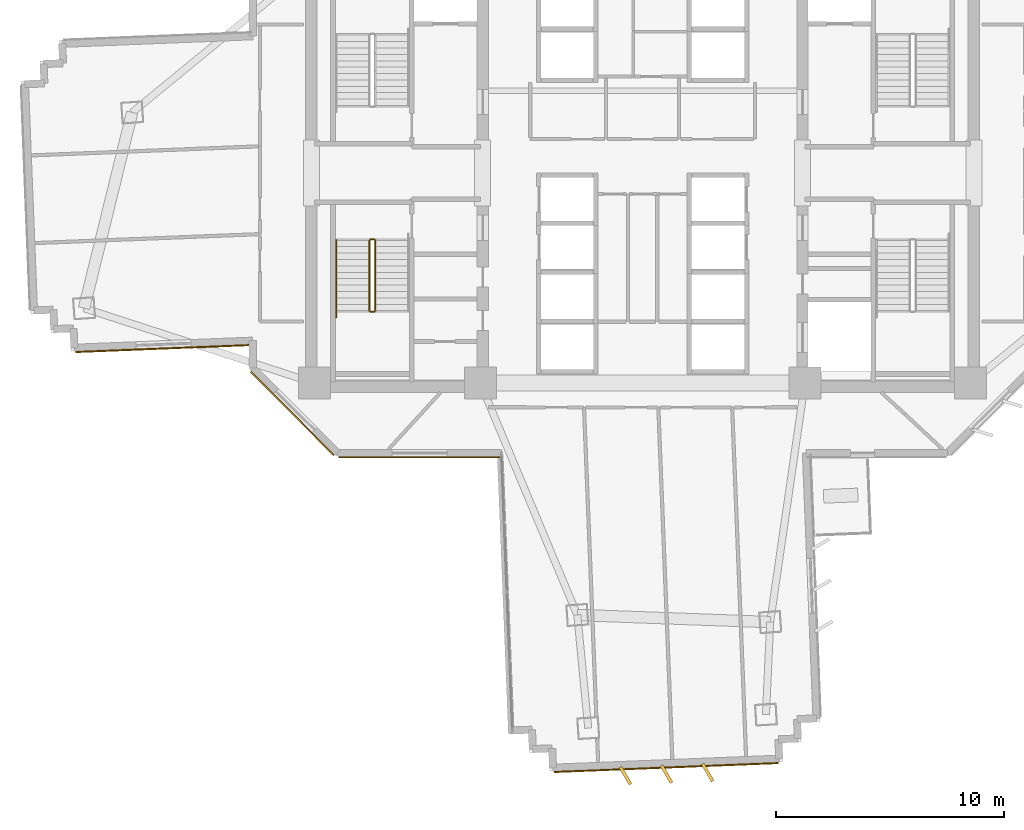
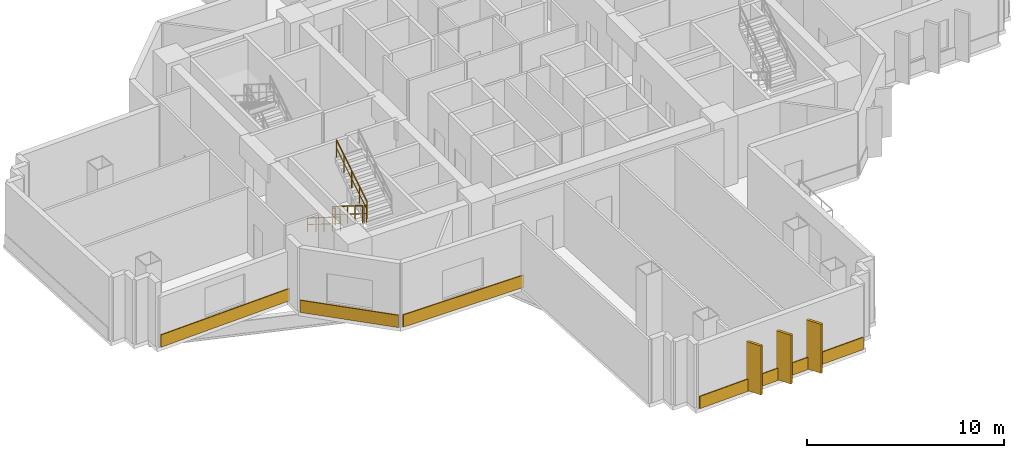
# One storey, part 12 of 16: 7 coverings, 5 railings.
"""IFC4 building model written with IfcOpenShell, lengths in metres."""

from ifc_helpers import new_model, si_unit, direction, frame, origin, origin_2d, place, context, subcontext, project, spatial, rectangle, extrude, source, transform, mapped, material, layer, layer_set, type_object, element, save


model = new_model("IFC4")

# Units and contexts
model_context = context("Model", 3, precision=1e-05, world=origin(), true_north=direction((0.0, 1.0)))
body_context = subcontext(model_context, "Body", "Model", "MODEL_VIEW")
ifc_project = project(units=[si_unit("LENGTHUNIT", "METRE"), si_unit("AREAUNIT", "SQUARE_METRE"), si_unit("VOLUMEUNIT", "CUBIC_METRE"), si_unit("PLANEANGLEUNIT", "RADIAN"), si_unit("MASSUNIT", "GRAM", prefix="KILO")], contexts=[model_context])

# Site, building, storey
site_placement = place(None, origin())
site = spatial("IfcSite", under=ifc_project, at=site_placement, CompositionType="ELEMENT")
building_placement = place(site_placement, origin())
building = spatial("IfcBuilding", under=site, at=building_placement, Name="Zahravan Cultural Tower", CompositionType="ELEMENT")
storey_placement = place(building_placement, frame((0.0, 0.0, 62.699951171875)))
storey = spatial("IfcBuildingStorey", under=building, at=storey_placement, Name="L13", CompositionType="ELEMENT", Elevation=62.699951171875)

# Railings
ifc_material_1 = material(Name="Steel ASTM A572 Grade 50", Category="steel")
railing_type_1 = type_object("IfcRailingType", Name="RL-STAIR-GRD1150", PredefinedType="BALUSTRADE", material=ifc_material_1)
railing_1_placement = place(storey_placement, frame((24.050048828125, 24.050048828125, 0.175048828125)))
element("IfcRailing", 1, at=railing_1_placement, inside=storey, type_object=railing_type_1, Name="L13 ST-W2 stair guard 1", PredefinedType="BALUSTRADE", context=body_context, shape_type="SweptSolid", body=[
    extrude(rectangle(XDim=0.05, YDim=0.05, at=origin_2d()), frame((0.0, 0.0, 1.0751953125), z_axis=(0.0, -0.847998304005, 0.529998940003), x_axis=(1.0, 0.0, 0.0)), (0.0, 0.0, 1.0), 3.632080078125),
    extrude(rectangle(XDim=0.032, YDim=0.032, at=origin_2d()), frame((0.0, 0.0, 0.572021484375), z_axis=(0.0, -0.847998304005, 0.529998940003), x_axis=(1.0, 0.0, 0.0)), (0.0, 0.0, 1.0), 3.632080078125),
    extrude(rectangle(XDim=0.04, YDim=0.04, at=origin_2d()), origin(), (0.0, 0.0, 1.0), 1.10009765625),
    extrude(rectangle(XDim=0.04, YDim=0.04, at=origin_2d()), frame((0.0, -0.77001953125, 0.481201171875)), (0.0, 0.0, 1.0), 1.10009765625),
    extrude(rectangle(XDim=0.04, YDim=0.04, at=origin_2d()), frame((0.0, -1.5400390625, 0.96240234375)), (0.0, 0.0, 1.0), 1.10009765625),
    extrude(rectangle(XDim=0.04, YDim=0.04, at=origin_2d()), frame((0.0, -2.31005859375, 1.44384765625)), (0.0, 0.0, 1.0), 1.10009765625),
    extrude(rectangle(XDim=0.04, YDim=0.04, at=origin_2d()), frame((0.0, -3.080078125, 1.925048828125)), (0.0, 0.0, 1.0), 1.10009765625),
])
railing_2_placement = place(storey_placement, frame((24.10009765625, 20.919921875, 2.10009765625)))
element("IfcRailing", 2, at=railing_2_placement, inside=storey, type_object=railing_type_1, Name="L13 ST-W2 stair guard 2", PredefinedType="BALUSTRADE", context=body_context, shape_type="SweptSolid", body=[
    extrude(rectangle(XDim=0.05, YDim=0.05, at=origin_2d()), frame((0.0, 0.0, 1.0751953125), z_axis=(1.0, 0.0, 0.0), x_axis=(0.0, 1.0, 0.0)), (0.0, 0.0, 1.0), 0.14990234375),
    extrude(rectangle(XDim=0.032, YDim=0.032, at=origin_2d()), frame((0.0, 0.0, 0.572021484375), z_axis=(1.0, 0.0, 0.0), x_axis=(0.0, 1.0, 0.0)), (0.0, 0.0, 1.0), 0.14990234375),
    extrude(rectangle(XDim=0.04, YDim=0.04, at=origin_2d()), origin(), (0.0, 0.0, 1.0), 1.10009765625),
    extrude(rectangle(XDim=0.04, YDim=0.04, at=origin_2d()), frame((0.14990234375, 0.0, 0.0)), (0.0, 0.0, 1.0), 1.10009765625),
])
railing_3_placement = place(storey_placement, frame((24.300048828125, 20.969970703125, 2.275146484375)))
element("IfcRailing", 3, at=railing_3_placement, inside=storey, type_object=railing_type_1, Name="L13 ST-W2 stair guard 3", PredefinedType="BALUSTRADE", context=body_context, shape_type="SweptSolid", body=[
    extrude(rectangle(XDim=0.05, YDim=0.05, at=origin_2d()), frame((0.0, 0.0, 1.0751953125), z_axis=(0.0, 0.848028513186, 0.529950602248), x_axis=(-1.0, 0.0, 0.0)), (0.0, 0.0, 1.0), 3.632080078125),
    extrude(rectangle(XDim=0.032, YDim=0.032, at=origin_2d()), frame((0.0, 0.0, 0.572021484375), z_axis=(0.0, 0.848028513186, 0.529950602248), x_axis=(-1.0, 0.0, 0.0)), (0.0, 0.0, 1.0), 3.632080078125),
    extrude(rectangle(XDim=0.04, YDim=0.04, at=origin_2d()), origin(), (0.0, 0.0, 1.0), 1.10009765625),
    extrude(rectangle(XDim=0.04, YDim=0.04, at=origin_2d()), frame((0.0, 0.77001953125, 0.481201171875)), (0.0, 0.0, 1.0), 1.10009765625),
    extrude(rectangle(XDim=0.04, YDim=0.04, at=origin_2d()), frame((0.0, 1.5400390625, 0.96240234375)), (0.0, 0.0, 1.0), 1.10009765625),
    extrude(rectangle(XDim=0.04, YDim=0.04, at=origin_2d()), frame((0.0, 2.31005859375, 1.443603515625)), (0.0, 0.0, 1.0), 1.10009765625),
    extrude(rectangle(XDim=0.04, YDim=0.04, at=origin_2d()), frame((0.0, 3.080078125, 1.9248046875)), (0.0, 0.0, 1.0), 1.10009765625),
])
railing_4_placement = place(storey_placement, frame((24.10009765625, 24.10009765625, 0.0)))
element("IfcRailing", 4, at=railing_4_placement, inside=storey, type_object=railing_type_1, Name="L13 ST-W2 stair guard 4", PredefinedType="BALUSTRADE", context=body_context, shape_type="SweptSolid", body=[
    extrude(rectangle(XDim=0.05, YDim=0.05, at=origin_2d()), frame((0.0, 0.0, 1.0751953125), z_axis=(1.0, 0.0, 0.0), x_axis=(0.0, 1.0, 0.0)), (0.0, 0.0, 1.0), 0.14990234375),
    extrude(rectangle(XDim=0.032, YDim=0.032, at=origin_2d()), frame((0.0, 0.0, 0.572021484375), z_axis=(1.0, 0.0, 0.0), x_axis=(0.0, 1.0, 0.0)), (0.0, 0.0, 1.0), 0.14990234375),
    extrude(rectangle(XDim=0.04, YDim=0.04, at=origin_2d()), origin(), (0.0, 0.0, 1.0), 1.10009765625),
    extrude(rectangle(XDim=0.04, YDim=0.04, at=origin_2d()), frame((0.14990234375, 0.0, 0.0)), (0.0, 0.0, 1.0), 1.10009765625),
])
railing_type_2 = type_object("IfcRailingType", Name="RL-STAIR-HR900", PredefinedType="HANDRAIL", material=ifc_material_1)
railing_5_placement = place(storey_placement, frame((22.60009765625, 24.050048828125, 0.175048828125)))
element("IfcRailing", 5, at=railing_5_placement, inside=storey, type_object=railing_type_2, Name="L13 ST-W2 stair handrail 1", PredefinedType="HANDRAIL", context=body_context, shape_type="SweptSolid", body=[
    extrude(rectangle(XDim=0.05, YDim=0.05, at=origin_2d()), frame((0.0, 0.0, 0.875), z_axis=(0.0, -0.847994842521, 0.530004478338), x_axis=(1.0, 0.0, 0.0)), (0.0, 0.0, 1.0), 3.96240234375),
    extrude(rectangle(XDim=0.032, YDim=0.032, at=origin_2d()), frame((0.0, 0.0, 0.468017578125), z_axis=(0.0, -0.847994842521, 0.530004478338), x_axis=(1.0, 0.0, 0.0)), (0.0, 0.0, 1.0), 3.96240234375),
    extrude(rectangle(XDim=0.04, YDim=0.04, at=origin_2d()), origin(), (0.0, 0.0, 1.0), 0.89990234375),
    extrude(rectangle(XDim=0.04, YDim=0.04, at=origin_2d()), frame((0.0, -0.840087890625, 0.52490234375)), (0.0, 0.0, 1.0), 0.89990234375),
    extrude(rectangle(XDim=0.04, YDim=0.04, at=origin_2d()), frame((0.0, -1.68017578125, 1.050048828125)), (0.0, 0.0, 1.0), 0.89990234375),
    extrude(rectangle(XDim=0.04, YDim=0.04, at=origin_2d()), frame((0.0, -2.52001953125, 1.5751953125)), (0.0, 0.0, 1.0), 0.89990234375),
    extrude(rectangle(XDim=0.04, YDim=0.04, at=origin_2d()), frame((0.0, -3.360107421875, 2.10009765625)), (0.0, 0.0, 1.0), 0.89990234375),
])

# Coverings
ifc_material_2 = material(Name="Terracotta ceramic cladding", Category="masonry")
ifc_layer = layer(ifc_material_2, 0.06005859375)
ifc_layer_set = layer_set([ifc_layer], Name="Terracotta ceramic cladding")
covering_type = type_object("IfcCoveringType", Name="COV-CLAD-TC60", PredefinedType="CLADDING", material=ifc_layer_set)
shared_shape_1 = source(origin(), body_context, "Body", "SweptSolid", [
    extrude(rectangle(XDim=9.820068359375, YDim=0.06005859375, at=origin_2d()), origin(), (0.0, 0.0, 1.0), 0.760009765625),
])
covering_1_placement = place(storey_placement, frame((37.0361328125, 0.9755859375, 0.02001953125), z_axis=(0.0, 0.0, 1.0), x_axis=(-0.999208342878, -0.039783005453, 0.0)))
element("IfcCovering", 6, at=covering_1_placement, inside=storey, type_object=covering_type, Name="L13 Terracotta Spandrel Cladding 20", PredefinedType="CLADDING", context=body_context, shape_type="MappedRepresentation", body=[
    mapped(shared_shape_1, transform((0.0, 0.0, 0.0), x_axis=(1.0, 0.0, 0.0), y_axis=(0.0, 1.0, 0.0), z_axis=(0.0, 0.0, 1.0), scale=1.0)),
])
shared_shape_2 = source(origin(), body_context, "Body", "SweptSolid", [
    extrude(rectangle(XDim=5.157958984375, YDim=0.06005859375, at=origin_2d()), origin(), (0.0, 0.0, 1.0), 0.760009765625),
])
covering_2_placement = place(storey_placement, frame((20.668212890625, 16.46826171875, 0.02001953125), z_axis=(0.0, 0.0, 1.0), x_axis=(-0.707106781187, 0.707106781187, 0.0)))
element("IfcCovering", 7, at=covering_2_placement, inside=storey, type_object=covering_type, Name="L13 Terracotta Spandrel Cladding 26", PredefinedType="CLADDING", context=body_context, shape_type="MappedRepresentation", body=[
    mapped(shared_shape_2, transform((0.0, 0.0, 0.0), x_axis=(1.0, 0.0, 0.0), y_axis=(0.0, 1.0, 0.0), z_axis=(0.0, 0.0, 1.0), scale=1.0)),
])
shared_shape_3 = source(origin(), body_context, "Body", "SweptSolid", [
    extrude(rectangle(XDim=0.8798828125, YDim=0.139892578125, at=origin_2d()), origin(), (0.0, 0.0, 1.0), 3.030029296875),
])
for number, where, z_axis, x_axis, name in (
    (8, (38.845947265625, 0.762451171875, 0.0498046875), (0.0, 0.0, 1.0), (0.504226211181, -0.863571611366, 0.0), "L13 Herringbone Terracotta Fin 15"),
    (9, (37.04736328125, 0.69091796875, 0.0498046875), (0.0, 0.0, 1.0), (0.504226211181, -0.863571611366, 0.0), "L13 Herringbone Terracotta Fin 16"),
    (10, (35.248779296875, 0.619384765625, 0.0498046875), (0.0, 0.0, 1.0), (0.504226211181, -0.863571611366, 0.0), "L13 Herringbone Terracotta Fin 17"),
):
    element("IfcCovering", number, at=place(storey_placement, frame(where, z_axis=z_axis, x_axis=x_axis)), inside=storey, type_object=covering_type, Name=name, PredefinedType="CLADDING", context=body_context, shape_type="MappedRepresentation", body=[
        mapped(shared_shape_3, transform((0.0, 0.0, 0.0), x_axis=(1.0, 0.0, 0.0), y_axis=(0.0, 1.0, 0.0), z_axis=(0.0, 0.0, 1.0), scale=1.0)),
    ])
shared_shape_4 = source(origin(), body_context, "Body", "SweptSolid", [
    extrude(rectangle(XDim=7.72119140625, YDim=0.06005859375, at=origin_2d()), origin(), (0.0, 0.0, 1.0), 0.760009765625),
])
covering_3_placement = place(storey_placement, frame((15.039794921875, 19.315185546875, 0.02001953125), z_axis=(0.0, 0.0, 1.0), x_axis=(-0.999208342878, -0.039783005453, 0.0)))
element("IfcCovering", 11, at=covering_3_placement, inside=storey, type_object=covering_type, Name="L13 Terracotta Spandrel Cladding 28", PredefinedType="CLADDING", context=body_context, shape_type="MappedRepresentation", body=[
    mapped(shared_shape_4, transform((0.0, 0.0, 0.0), x_axis=(1.0, 0.0, 0.0), y_axis=(0.0, 1.0, 0.0), z_axis=(0.0, 0.0, 1.0), scale=1.0)),
])
shared_shape_5 = source(origin(), body_context, "Body", "SweptSolid", [
    extrude(rectangle(XDim=7.064697265625, YDim=0.06005859375, at=origin_2d()), origin(), (0.0, 0.0, 1.0), 0.760009765625),
])
covering_4_placement = place(storey_placement, frame((26.240478515625, 14.554931640625, 0.02001953125), z_axis=(0.0, 0.0, 1.0), x_axis=(-1.0, 0.0, 0.0)))
element("IfcCovering", 12, at=covering_4_placement, inside=storey, type_object=covering_type, Name="L13 Terracotta Spandrel Cladding 25", PredefinedType="CLADDING", context=body_context, shape_type="MappedRepresentation", body=[
    mapped(shared_shape_5, transform((0.0, 0.0, 0.0), x_axis=(1.0, 0.0, 0.0), y_axis=(0.0, 1.0, 0.0), z_axis=(0.0, 0.0, 1.0), scale=1.0)),
])

save(model, "model.ifc")
